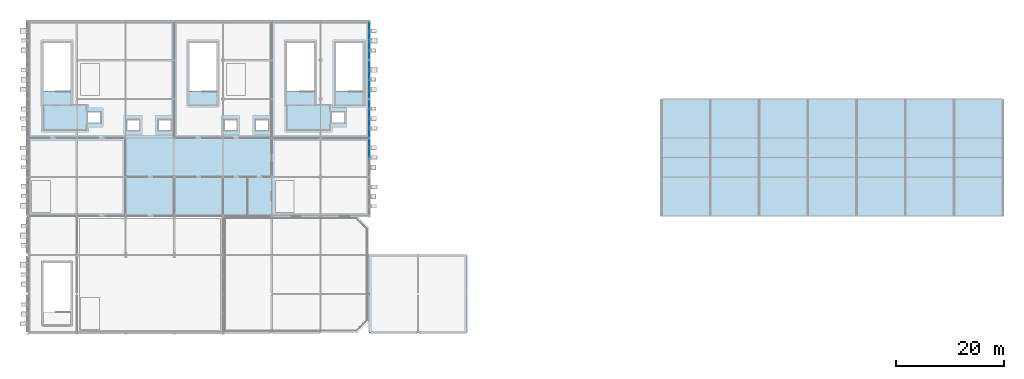
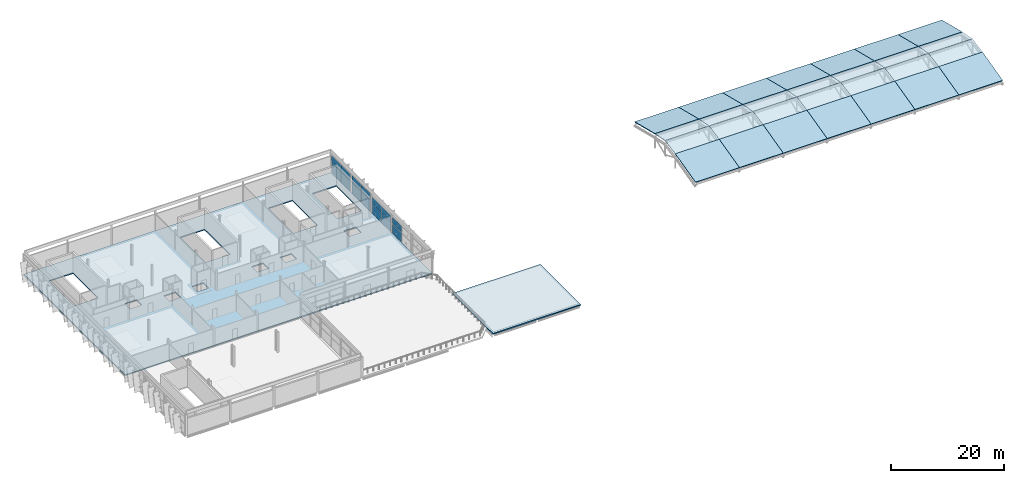
# One storey, part 42 of 52: 30 slabs, 14 plates, 4 elements without a shape of their own.
"""IFC4 building model written with IfcOpenShell, lengths in metres."""

from ifc_helpers import new_model, si_unit, direction, frame, origin, origin_2d, place, context, subcontext, project, spatial, polyline, rectangle, outline, extrude, material, layer, layer_set, type_object, element, aggregate, save


model = new_model("IFC4")

# Units and contexts
model_context = context("Model", 3, precision=1e-05, world=origin(), true_north=direction((0.0, 1.0)))
body_context = subcontext(model_context, "Body", "Model", "MODEL_VIEW")
ifc_project = project(units=[si_unit("LENGTHUNIT", "METRE"), si_unit("AREAUNIT", "SQUARE_METRE"), si_unit("VOLUMEUNIT", "CUBIC_METRE"), si_unit("PLANEANGLEUNIT", "RADIAN"), si_unit("MASSUNIT", "GRAM", prefix="KILO")], contexts=[model_context])

# Site, building, storey
site_placement = place(None, origin())
site = spatial("IfcSite", under=ifc_project, at=site_placement, CompositionType="ELEMENT")
building_placement = place(site_placement, origin())
building = spatial("IfcBuilding", under=site, at=building_placement, Name="Celestram Park Convention Centre", CompositionType="ELEMENT")
storey_placement = place(building_placement, frame((0.0, 0.0, 24.300048828125)))
storey = spatial("IfcBuildingStorey", under=building, at=storey_placement, Name="L05", CompositionType="ELEMENT", Elevation=24.300048828125)

# Curtain wall, plates
ifc_material_1 = material(Name="Anodised Aluminium Alloy 6063-T6", Category="aluminium")
ifc_layer_1 = layer(ifc_material_1, 0.179931640625)
ifc_layer_set_1 = layer_set([ifc_layer_1], Name="Anodised Aluminium Alloy 6063-T6")
curtain_wall_type_1 = type_object("IfcCurtainWallType", Name="ARC-CW-680X390", PredefinedType="NOTDEFINED", material=ifc_layer_set_1)
curtain_wall_1_placement = place(storey_placement, origin())
curtain_wall_1 = element("IfcCurtainWall", 1, at=curtain_wall_1_placement, inside=storey, type_object=curtain_wall_type_1, Name="Unitised curtain wall CU-L05-251", PredefinedType="NOTDEFINED")
ifc_material_2 = material(Name="Insulated Glazing Unit 28 mm", Category="glass")
ifc_layer_2 = layer(ifc_material_2, 0.028076171875)
ifc_layer_set_2 = layer_set([ifc_layer_2], Name="Insulated Glazing Unit 28 mm")
plate_type = type_object("IfcPlateType", Name="ARC-CWP-IGU28", PredefinedType="CURTAIN_PANEL", material=ifc_layer_set_2)
plate_1_placement = place(storey_placement, frame((99.0, 163.684326171875, 0.06005859375), z_axis=(0.0, 0.0, 1.0), x_axis=(0.0, -1.0, 0.0)))
plate_1 = element("IfcPlate", 2, at=plate_1_placement, type_object=plate_type, Name="CW-68X39 panel 1.1", PredefinedType="CURTAIN_PANEL", context=body_context, shape_type="SweptSolid", body=[
    extrude(rectangle(XDim=3.303466796875, YDim=0.028076171875, at=origin_2d()), origin(), (0.0, 0.0, 1.0), 2.251953125),
])
plate_2_placement = place(storey_placement, frame((99.0, 163.684326171875, 2.3720703125), z_axis=(0.0, 0.0, 1.0), x_axis=(0.0, -1.0, 0.0)))
plate_2 = element("IfcPlate", 3, at=plate_2_placement, type_object=plate_type, Name="CW-68X39 panel 1.2", PredefinedType="CURTAIN_PANEL", context=body_context, shape_type="SweptSolid", body=[
    extrude(rectangle(XDim=3.303466796875, YDim=0.028076171875, at=origin_2d()), origin(), (0.0, 0.0, 1.0), 1.471923828125),
])
plate_3_placement = place(storey_placement, frame((99.0, 160.315673828125, 0.06005859375), z_axis=(0.0, 0.0, 1.0), x_axis=(0.0, -1.0, 0.0)))
plate_3 = element("IfcPlate", 4, at=plate_3_placement, type_object=plate_type, Name="CW-68X39 panel 2.1", PredefinedType="CURTAIN_PANEL", context=body_context, shape_type="SweptSolid", body=[
    extrude(rectangle(XDim=3.303466796875, YDim=0.028076171875, at=origin_2d()), origin(), (0.0, 0.0, 1.0), 2.251953125),
])
plate_4_placement = place(storey_placement, frame((99.0, 160.315673828125, 2.3720703125), z_axis=(0.0, 0.0, 1.0), x_axis=(0.0, -1.0, 0.0)))
plate_4 = element("IfcPlate", 5, at=plate_4_placement, type_object=plate_type, Name="CW-68X39 panel 2.2", PredefinedType="CURTAIN_PANEL", context=body_context, shape_type="SweptSolid", body=[
    extrude(rectangle(XDim=3.303466796875, YDim=0.028076171875, at=origin_2d()), origin(), (0.0, 0.0, 1.0), 1.471923828125),
])
aggregate(curtain_wall_1, [plate_1, plate_2, plate_3, plate_4])

ifc_layer_3 = layer(ifc_material_1, 0.179931640625)
ifc_layer_set_3 = layer_set([ifc_layer_3], Name="Anodised Aluminium Alloy 6063-T6")
curtain_wall_type_2 = type_object("IfcCurtainWallType", Name="ARC-CW-680X401", PredefinedType="NOTDEFINED", material=ifc_layer_set_3)
curtain_wall_2_placement = place(storey_placement, origin())
curtain_wall_2 = element("IfcCurtainWall", 6, at=curtain_wall_2_placement, inside=storey, type_object=curtain_wall_type_2, Name="Unitised curtain wall CU-L05-252", PredefinedType="NOTDEFINED")
plate_5_placement = place(storey_placement, frame((99.0, 156.484130859375, 0.06005859375), z_axis=(0.0, 0.0, 1.0), x_axis=(0.0, -1.0, 0.0)))
plate_5 = element("IfcPlate", 7, at=plate_5_placement, type_object=plate_type, Name="CW-68X40 panel 1.1", PredefinedType="CURTAIN_PANEL", context=body_context, shape_type="SweptSolid", body=[
    extrude(rectangle(XDim=3.303466796875, YDim=0.028076171875, at=origin_2d()), origin(), (0.0, 0.0, 1.0), 2.31591796875),
])
plate_6_placement = place(storey_placement, frame((99.0, 156.484130859375, 2.43603515625), z_axis=(0.0, 0.0, 1.0), x_axis=(0.0, -1.0, 0.0)))
plate_6 = element("IfcPlate", 8, at=plate_6_placement, type_object=plate_type, Name="CW-68X40 panel 1.2", PredefinedType="CURTAIN_PANEL", context=body_context, shape_type="SweptSolid", body=[
    extrude(rectangle(XDim=3.303466796875, YDim=0.028076171875, at=origin_2d()), origin(), (0.0, 0.0, 1.0), 1.513916015625),
])
plate_7_placement = place(storey_placement, frame((99.0, 153.11572265625, 0.06005859375), z_axis=(0.0, 0.0, 1.0), x_axis=(0.0, -1.0, 0.0)))
plate_7 = element("IfcPlate", 9, at=plate_7_placement, type_object=plate_type, Name="CW-68X40 panel 2.1", PredefinedType="CURTAIN_PANEL", context=body_context, shape_type="SweptSolid", body=[
    extrude(rectangle(XDim=3.303466796875, YDim=0.028076171875, at=origin_2d()), origin(), (0.0, 0.0, 1.0), 2.31591796875),
])
plate_8_placement = place(storey_placement, frame((99.0, 153.11572265625, 2.43603515625), z_axis=(0.0, 0.0, 1.0), x_axis=(0.0, -1.0, 0.0)))
plate_8 = element("IfcPlate", 10, at=plate_8_placement, type_object=plate_type, Name="CW-68X40 panel 2.2", PredefinedType="CURTAIN_PANEL", context=body_context, shape_type="SweptSolid", body=[
    extrude(rectangle(XDim=3.303466796875, YDim=0.028076171875, at=origin_2d()), origin(), (0.0, 0.0, 1.0), 1.513916015625),
])
aggregate(curtain_wall_2, [plate_5, plate_6, plate_7, plate_8])

ifc_layer_4 = layer(ifc_material_1, 0.179931640625)
ifc_layer_set_4 = layer_set([ifc_layer_4], Name="Anodised Aluminium Alloy 6063-T6")
curtain_wall_type_3 = type_object("IfcCurtainWallType", Name="ARC-CW-680X365", PredefinedType="NOTDEFINED", material=ifc_layer_set_4)
curtain_wall_3_placement = place(storey_placement, origin())
curtain_wall_3 = element("IfcCurtainWall", 11, at=curtain_wall_3_placement, inside=storey, type_object=curtain_wall_type_3, Name="Unitised curtain wall CU-L05-253", PredefinedType="NOTDEFINED")
plate_9_placement = place(storey_placement, frame((99.0, 149.2841796875, 0.059814453125), z_axis=(0.0, 0.0, 1.0), x_axis=(0.0, -1.0, 0.0)))
plate_9 = element("IfcPlate", 12, at=plate_9_placement, type_object=plate_type, Name="CW-68X36 panel 1.1", PredefinedType="CURTAIN_PANEL", context=body_context, shape_type="SweptSolid", body=[
    extrude(rectangle(XDim=3.303466796875, YDim=0.028076171875, at=origin_2d()), origin(), (0.0, 0.0, 1.0), 2.09912109375),
])
plate_10_placement = place(storey_placement, frame((99.0, 149.2841796875, 2.21923828125), z_axis=(0.0, 0.0, 1.0), x_axis=(0.0, -1.0, 0.0)))
plate_10 = element("IfcPlate", 13, at=plate_10_placement, type_object=plate_type, Name="CW-68X36 panel 1.2", PredefinedType="CURTAIN_PANEL", context=body_context, shape_type="SweptSolid", body=[
    extrude(rectangle(XDim=3.303466796875, YDim=0.028076171875, at=origin_2d()), origin(), (0.0, 0.0, 1.0), 1.368896484375),
])
plate_11_placement = place(storey_placement, frame((99.0, 145.915771484375, 0.059814453125), z_axis=(0.0, 0.0, 1.0), x_axis=(0.0, -1.0, 0.0)))
plate_11 = element("IfcPlate", 14, at=plate_11_placement, type_object=plate_type, Name="CW-68X36 panel 2.1", PredefinedType="CURTAIN_PANEL", context=body_context, shape_type="SweptSolid", body=[
    extrude(rectangle(XDim=3.303466796875, YDim=0.028076171875, at=origin_2d()), origin(), (0.0, 0.0, 1.0), 2.09912109375),
])
plate_12_placement = place(storey_placement, frame((99.0, 145.915771484375, 2.21923828125), z_axis=(0.0, 0.0, 1.0), x_axis=(0.0, -1.0, 0.0)))
plate_12 = element("IfcPlate", 15, at=plate_12_placement, type_object=plate_type, Name="CW-68X36 panel 2.2", PredefinedType="CURTAIN_PANEL", context=body_context, shape_type="SweptSolid", body=[
    extrude(rectangle(XDim=3.303466796875, YDim=0.028076171875, at=origin_2d()), origin(), (0.0, 0.0, 1.0), 1.368896484375),
])
aggregate(curtain_wall_3, [plate_9, plate_10, plate_11, plate_12])

curtain_wall_4_placement = place(storey_placement, origin())
curtain_wall_4 = element("IfcCurtainWall", 16, at=curtain_wall_4_placement, inside=storey, type_object=curtain_wall_type_3, Name="Unitised curtain wall CU-L05-254", PredefinedType="NOTDEFINED")
plate_13_placement = place(storey_placement, frame((99.0, 142.084228515625, 0.059814453125), z_axis=(0.0, 0.0, 1.0), x_axis=(0.0, -1.0, 0.0)))
plate_13 = element("IfcPlate", 17, at=plate_13_placement, type_object=plate_type, Name="CW-68X36 panel 1.1", PredefinedType="CURTAIN_PANEL", context=body_context, shape_type="SweptSolid", body=[
    extrude(rectangle(XDim=3.303466796875, YDim=0.028076171875, at=origin_2d()), origin(), (0.0, 0.0, 1.0), 2.09912109375),
])
plate_14_placement = place(storey_placement, frame((99.0, 142.084228515625, 2.21923828125), z_axis=(0.0, 0.0, 1.0), x_axis=(0.0, -1.0, 0.0)))
plate_14 = element("IfcPlate", 18, at=plate_14_placement, type_object=plate_type, Name="CW-68X36 panel 1.2", PredefinedType="CURTAIN_PANEL", context=body_context, shape_type="SweptSolid", body=[
    extrude(rectangle(XDim=3.303466796875, YDim=0.028076171875, at=origin_2d()), origin(), (0.0, 0.0, 1.0), 1.368896484375),
])
aggregate(curtain_wall_4, [plate_13, plate_14])

# Slabs
ifc_material_3 = material(Name="Concrete C35/45", Category="concrete")
ifc_layer_5 = layer(ifc_material_3, 0.159912109375)
ifc_layer_set_5 = layer_set([ifc_layer_5], Name="Concrete C35/45")
slab_type_1 = type_object("IfcSlabType", Name="STR-SLB-ARCH160", PredefinedType="ROOF", material=ifc_layer_set_5)
slab_1_placement = place(storey_placement, frame((153.0, 129.60009765625, 0.816650390625), z_axis=(0.0, -0.242388551212, 0.970179256757), x_axis=(1.0, 0.0, 0.0)))
element("IfcSlab", 19, at=slab_1_placement, inside=storey, type_object=slab_type_1, Name="V2 arched roof deck facet 1.3", PredefinedType="ROOF", context=body_context, shape_type="SweptSolid", body=[
    extrude(outline(polyline([(0.0, 0.0), (9.0, 0.0), (9.0, 7.42125861971372), (0.0, 7.42125861971372), (0.0, 0.0)])), origin(), (0.0, 0.0, -1.0), 0.159912109375),
])
for number, where, z_axis, x_axis, name in (
    (20, (153.0, 136.800048828125, 2.615478515625), (0.0, -0.186805525159, 0.982396913559), (1.0, 0.0, 0.0), "V2 arched roof deck facet 1.4"),
    (21, (153.0, 140.405029296875, 3.299072265625), (0.0, 0.186805525159, 0.982396913559), (1.0, 0.0, 0.0), "V2 arched roof deck facet 1.5"),
):
    element("IfcSlab", number, at=place(storey_placement, frame(where, z_axis=z_axis, x_axis=x_axis)), inside=storey, type_object=slab_type_1, Name=name, PredefinedType="ROOF", context=body_context, shape_type="SweptSolid", body=[
        extrude(outline(polyline([(0.0, 0.0), (9.0, 0.0), (9.0, 3.659387212548861), (0.0, 3.659387212548861), (0.0, 0.0)])), origin(), (0.0, 0.0, -1.0), 0.159912109375),
    ])
for number, where, z_axis, x_axis, name in (
    (22, (153.0, 144.0, 2.615478515625), (0.0, 0.242388551212, 0.970179256757), (1.0, 0.0, 0.0), "V2 arched roof deck facet 1.6"),
    (23, (162.0, 129.60009765625, 0.816650390625), (0.0, -0.242388551212, 0.970179256757), (1.0, 0.0, 0.0), "V2 arched roof deck facet 2.3"),
):
    element("IfcSlab", number, at=place(storey_placement, frame(where, z_axis=z_axis, x_axis=x_axis)), inside=storey, type_object=slab_type_1, Name=name, PredefinedType="ROOF", context=body_context, shape_type="SweptSolid", body=[
        extrude(outline(polyline([(0.0, 0.0), (9.0, 0.0), (9.0, 7.42125861971372), (0.0, 7.42125861971372), (0.0, 0.0)])), origin(), (0.0, 0.0, -1.0), 0.159912109375),
    ])
for number, where, z_axis, x_axis, name in (
    (24, (162.0, 136.800048828125, 2.615478515625), (0.0, -0.186805525159, 0.982396913559), (1.0, 0.0, 0.0), "V2 arched roof deck facet 2.4"),
    (25, (162.0, 140.405029296875, 3.299072265625), (0.0, 0.186805525159, 0.982396913559), (1.0, 0.0, 0.0), "V2 arched roof deck facet 2.5"),
):
    element("IfcSlab", number, at=place(storey_placement, frame(where, z_axis=z_axis, x_axis=x_axis)), inside=storey, type_object=slab_type_1, Name=name, PredefinedType="ROOF", context=body_context, shape_type="SweptSolid", body=[
        extrude(outline(polyline([(0.0, 0.0), (9.0, 0.0), (9.0, 3.659387212548861), (0.0, 3.659387212548861), (0.0, 0.0)])), origin(), (0.0, 0.0, -1.0), 0.159912109375),
    ])
for number, where, z_axis, x_axis, name in (
    (26, (162.0, 144.0, 2.615478515625), (0.0, 0.242388551212, 0.970179256757), (1.0, 0.0, 0.0), "V2 arched roof deck facet 2.6"),
    (27, (171.0, 129.60009765625, 0.816650390625), (0.0, -0.242388551212, 0.970179256757), (1.0, 0.0, 0.0), "V2 arched roof deck facet 3.3"),
):
    element("IfcSlab", number, at=place(storey_placement, frame(where, z_axis=z_axis, x_axis=x_axis)), inside=storey, type_object=slab_type_1, Name=name, PredefinedType="ROOF", context=body_context, shape_type="SweptSolid", body=[
        extrude(outline(polyline([(0.0, 0.0), (9.0, 0.0), (9.0, 7.42125861971372), (0.0, 7.42125861971372), (0.0, 0.0)])), origin(), (0.0, 0.0, -1.0), 0.159912109375),
    ])
for number, where, z_axis, x_axis, name in (
    (28, (171.0, 136.800048828125, 2.615478515625), (0.0, -0.186805525159, 0.982396913559), (1.0, 0.0, 0.0), "V2 arched roof deck facet 3.4"),
    (29, (171.0, 140.405029296875, 3.299072265625), (0.0, 0.186805525159, 0.982396913559), (1.0, 0.0, 0.0), "V2 arched roof deck facet 3.5"),
):
    element("IfcSlab", number, at=place(storey_placement, frame(where, z_axis=z_axis, x_axis=x_axis)), inside=storey, type_object=slab_type_1, Name=name, PredefinedType="ROOF", context=body_context, shape_type="SweptSolid", body=[
        extrude(outline(polyline([(0.0, 0.0), (9.0, 0.0), (9.0, 3.659387212548861), (0.0, 3.659387212548861), (0.0, 0.0)])), origin(), (0.0, 0.0, -1.0), 0.159912109375),
    ])
for number, where, z_axis, x_axis, name in (
    (30, (171.0, 144.0, 2.615478515625), (0.0, 0.242388551212, 0.970179256757), (1.0, 0.0, 0.0), "V2 arched roof deck facet 3.6"),
    (31, (180.0, 129.60009765625, 0.816650390625), (0.0, -0.242388551212, 0.970179256757), (1.0, 0.0, 0.0), "V2 arched roof deck facet 4.3"),
):
    element("IfcSlab", number, at=place(storey_placement, frame(where, z_axis=z_axis, x_axis=x_axis)), inside=storey, type_object=slab_type_1, Name=name, PredefinedType="ROOF", context=body_context, shape_type="SweptSolid", body=[
        extrude(outline(polyline([(0.0, 0.0), (9.0, 0.0), (9.0, 7.42125861971372), (0.0, 7.42125861971372), (0.0, 0.0)])), origin(), (0.0, 0.0, -1.0), 0.159912109375),
    ])
for number, where, z_axis, x_axis, name in (
    (32, (180.0, 136.800048828125, 2.615478515625), (0.0, -0.186805525159, 0.982396913559), (1.0, 0.0, 0.0), "V2 arched roof deck facet 4.4"),
    (33, (180.0, 140.405029296875, 3.299072265625), (0.0, 0.186805525159, 0.982396913559), (1.0, 0.0, 0.0), "V2 arched roof deck facet 4.5"),
):
    element("IfcSlab", number, at=place(storey_placement, frame(where, z_axis=z_axis, x_axis=x_axis)), inside=storey, type_object=slab_type_1, Name=name, PredefinedType="ROOF", context=body_context, shape_type="SweptSolid", body=[
        extrude(outline(polyline([(0.0, 0.0), (9.0, 0.0), (9.0, 3.659387212548861), (0.0, 3.659387212548861), (0.0, 0.0)])), origin(), (0.0, 0.0, -1.0), 0.159912109375),
    ])
for number, where, z_axis, x_axis, name in (
    (34, (180.0, 144.0, 2.615478515625), (0.0, 0.242388551212, 0.970179256757), (1.0, 0.0, 0.0), "V2 arched roof deck facet 4.6"),
    (35, (189.0, 129.60009765625, 0.816650390625), (0.0, -0.242388551212, 0.970179256757), (1.0, 0.0, 0.0), "V2 arched roof deck facet 5.3"),
):
    element("IfcSlab", number, at=place(storey_placement, frame(where, z_axis=z_axis, x_axis=x_axis)), inside=storey, type_object=slab_type_1, Name=name, PredefinedType="ROOF", context=body_context, shape_type="SweptSolid", body=[
        extrude(outline(polyline([(0.0, 0.0), (9.0, 0.0), (9.0, 7.42125861971372), (0.0, 7.42125861971372), (0.0, 0.0)])), origin(), (0.0, 0.0, -1.0), 0.159912109375),
    ])
for number, where, z_axis, x_axis, name in (
    (36, (189.0, 136.800048828125, 2.615478515625), (0.0, -0.186805525159, 0.982396913559), (1.0, 0.0, 0.0), "V2 arched roof deck facet 5.4"),
    (37, (189.0, 140.405029296875, 3.299072265625), (0.0, 0.186805525159, 0.982396913559), (1.0, 0.0, 0.0), "V2 arched roof deck facet 5.5"),
):
    element("IfcSlab", number, at=place(storey_placement, frame(where, z_axis=z_axis, x_axis=x_axis)), inside=storey, type_object=slab_type_1, Name=name, PredefinedType="ROOF", context=body_context, shape_type="SweptSolid", body=[
        extrude(outline(polyline([(0.0, 0.0), (9.0, 0.0), (9.0, 3.659387212548861), (0.0, 3.659387212548861), (0.0, 0.0)])), origin(), (0.0, 0.0, -1.0), 0.159912109375),
    ])
for number, where, z_axis, x_axis, name in (
    (38, (189.0, 144.0, 2.615478515625), (0.0, 0.242388551212, 0.970179256757), (1.0, 0.0, 0.0), "V2 arched roof deck facet 5.6"),
    (39, (198.0, 129.60009765625, 0.816650390625), (0.0, -0.242388551212, 0.970179256757), (1.0, 0.0, 0.0), "V2 arched roof deck facet 6.3"),
):
    element("IfcSlab", number, at=place(storey_placement, frame(where, z_axis=z_axis, x_axis=x_axis)), inside=storey, type_object=slab_type_1, Name=name, PredefinedType="ROOF", context=body_context, shape_type="SweptSolid", body=[
        extrude(outline(polyline([(0.0, 0.0), (9.0, 0.0), (9.0, 7.42125861971372), (0.0, 7.42125861971372), (0.0, 0.0)])), origin(), (0.0, 0.0, -1.0), 0.159912109375),
    ])
for number, where, z_axis, x_axis, name in (
    (40, (198.0, 136.800048828125, 2.615478515625), (0.0, -0.186805525159, 0.982396913559), (1.0, 0.0, 0.0), "V2 arched roof deck facet 6.4"),
    (41, (198.0, 140.405029296875, 3.299072265625), (0.0, 0.186805525159, 0.982396913559), (1.0, 0.0, 0.0), "V2 arched roof deck facet 6.5"),
):
    element("IfcSlab", number, at=place(storey_placement, frame(where, z_axis=z_axis, x_axis=x_axis)), inside=storey, type_object=slab_type_1, Name=name, PredefinedType="ROOF", context=body_context, shape_type="SweptSolid", body=[
        extrude(outline(polyline([(0.0, 0.0), (9.0, 0.0), (9.0, 3.659387212548861), (0.0, 3.659387212548861), (0.0, 0.0)])), origin(), (0.0, 0.0, -1.0), 0.159912109375),
    ])
for number, where, z_axis, x_axis, name in (
    (42, (198.0, 144.0, 2.615478515625), (0.0, 0.242388551212, 0.970179256757), (1.0, 0.0, 0.0), "V2 arched roof deck facet 6.6"),
    (43, (207.0, 129.60009765625, 0.816650390625), (0.0, -0.242388551212, 0.970179256757), (1.0, 0.0, 0.0), "V2 arched roof deck facet 7.3"),
):
    element("IfcSlab", number, at=place(storey_placement, frame(where, z_axis=z_axis, x_axis=x_axis)), inside=storey, type_object=slab_type_1, Name=name, PredefinedType="ROOF", context=body_context, shape_type="SweptSolid", body=[
        extrude(outline(polyline([(0.0, 0.0), (9.0, 0.0), (9.0, 7.42125861971372), (0.0, 7.42125861971372), (0.0, 0.0)])), origin(), (0.0, 0.0, -1.0), 0.159912109375),
    ])
for number, where, z_axis, x_axis, name in (
    (44, (207.0, 136.800048828125, 2.615478515625), (0.0, -0.186805525159, 0.982396913559), (1.0, 0.0, 0.0), "V2 arched roof deck facet 7.4"),
    (45, (207.0, 140.405029296875, 3.299072265625), (0.0, 0.186805525159, 0.982396913559), (1.0, 0.0, 0.0), "V2 arched roof deck facet 7.5"),
):
    element("IfcSlab", number, at=place(storey_placement, frame(where, z_axis=z_axis, x_axis=x_axis)), inside=storey, type_object=slab_type_1, Name=name, PredefinedType="ROOF", context=body_context, shape_type="SweptSolid", body=[
        extrude(outline(polyline([(0.0, 0.0), (9.0, 0.0), (9.0, 3.659387212548861), (0.0, 3.659387212548861), (0.0, 0.0)])), origin(), (0.0, 0.0, -1.0), 0.159912109375),
    ])
slab_2_placement = place(storey_placement, frame((207.0, 144.0, 2.615478515625), z_axis=(0.0, 0.242388551212, 0.970179256757), x_axis=(1.0, 0.0, 0.0)))
element("IfcSlab", 46, at=slab_2_placement, inside=storey, type_object=slab_type_1, Name="V2 arched roof deck facet 7.6", PredefinedType="ROOF", context=body_context, shape_type="SweptSolid", body=[
    extrude(outline(polyline([(0.0, 0.0), (9.0, 0.0), (9.0, 7.42125861971372), (0.0, 7.42125861971372), (0.0, 0.0)])), origin(), (0.0, 0.0, -1.0), 0.159912109375),
])
ifc_layer_6 = layer(ifc_material_3, 0.239990234375)
ifc_layer_set_6 = layer_set([ifc_layer_6], Name="Concrete C35/45")
slab_type_2 = type_object("IfcSlabType", Name="STR-SLB-FLR240", PredefinedType="FLOOR", material=ifc_layer_set_6)
slab_3_placement = place(storey_placement, frame((0.0, 0.0, -0.239990234375)))
element("IfcSlab", 47, at=slab_3_placement, inside=storey, type_object=slab_type_2, Name="Floor slab L05-MTG", PredefinedType="FLOOR", context=body_context, shape_type="SweptSolid", body=[
    extrude(outline(polyline([(36.0, 129.60009765625), (36.0, 165.60009765625), (99.0, 165.60009765625), (99.0, 129.60009765625), (36.0, 129.60009765625)]), holes=[polyline([(56.550048828125, 147.35009765625), (54.25, 147.35009765625), (54.25, 145.449951171875), (56.550048828125, 145.449951171875), (56.550048828125, 147.35009765625)]), polyline([(62.35009765625, 147.35009765625), (60.050048828125, 147.35009765625), (60.050048828125, 145.449951171875), (62.35009765625, 145.449951171875), (62.35009765625, 147.35009765625)]), polyline([(49.39990234375, 146.824951171875), (49.39990234375, 148.77490234375), (47.0, 148.77490234375), (47.0, 146.824951171875), (49.39990234375, 146.824951171875)]), polyline([(43.800048828125, 161.60009765625), (38.840087890625, 161.60009765625), (38.840087890625, 152.60595703125), (43.800048828125, 152.60595703125), (43.800048828125, 161.60009765625)]), polyline([(65.840087890625, 161.60009765625), (65.840087890625, 152.60595703125), (70.800048828125, 152.60595703125), (70.800048828125, 161.60009765625), (65.840087890625, 161.60009765625)]), polyline([(74.550048828125, 145.449951171875), (74.550048828125, 147.35009765625), (72.25, 147.35009765625), (72.25, 145.449951171875), (74.550048828125, 145.449951171875)]), polyline([(80.35009765625, 145.449951171875), (80.35009765625, 147.35009765625), (78.050048828125, 147.35009765625), (78.050048828125, 145.449951171875), (80.35009765625, 145.449951171875)]), polyline([(94.39990234375, 148.77490234375), (92.0, 148.77490234375), (92.0, 146.824951171875), (94.39990234375, 146.824951171875), (94.39990234375, 148.77490234375)]), polyline([(88.800048828125, 161.60009765625), (83.840087890625, 161.60009765625), (83.840087890625, 152.60595703125), (88.800048828125, 152.60595703125), (88.800048828125, 161.60009765625)]), polyline([(97.800048828125, 161.60009765625), (92.840087890625, 161.60009765625), (92.840087890625, 152.60595703125), (97.800048828125, 152.60595703125), (97.800048828125, 161.60009765625)])]), origin(), (0.0, 0.0, 1.0), 0.239990234375),
])
ifc_layer_7 = layer(ifc_material_3, 0.239990234375)
ifc_layer_set_7 = layer_set([ifc_layer_7], Name="Concrete C35/45")
slab_type_3 = type_object("IfcSlabType", Name="STR-SLB-ROOF240", PredefinedType="ROOF", material=ifc_layer_set_7)
slab_4_placement = place(storey_placement, frame((0.0, 0.0, -0.239990234375)))
element("IfcSlab", 48, at=slab_4_placement, inside=storey, type_object=slab_type_3, Name="Insulated flat roof deck SL-L05-RF042", PredefinedType="ROOF", context=body_context, shape_type="SweptSolid", body=[
    extrude(outline(polyline([(99.0, 108.0), (99.0, 122.39990234375), (117.0, 122.39990234375), (117.0, 108.0), (99.0, 108.0)])), origin(), (0.0, 0.0, 1.0), 0.239990234375),
])

save(model, "model.ifc")
